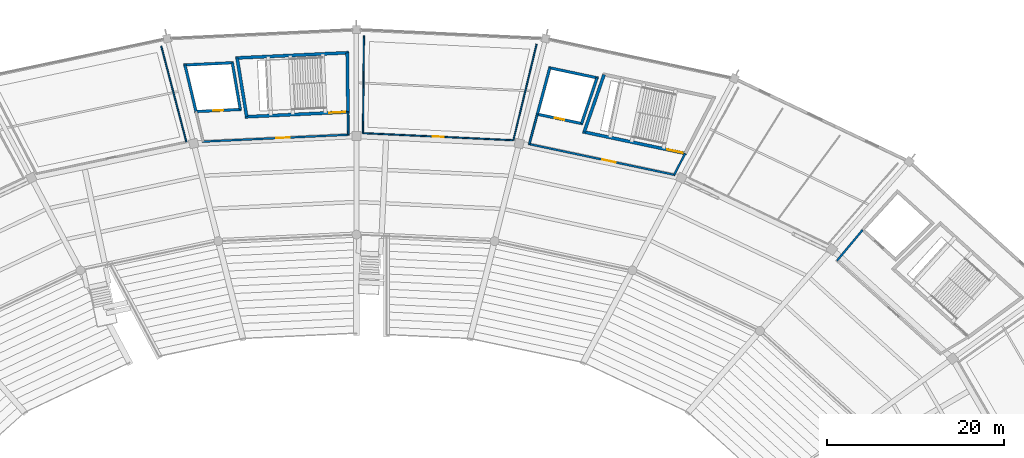
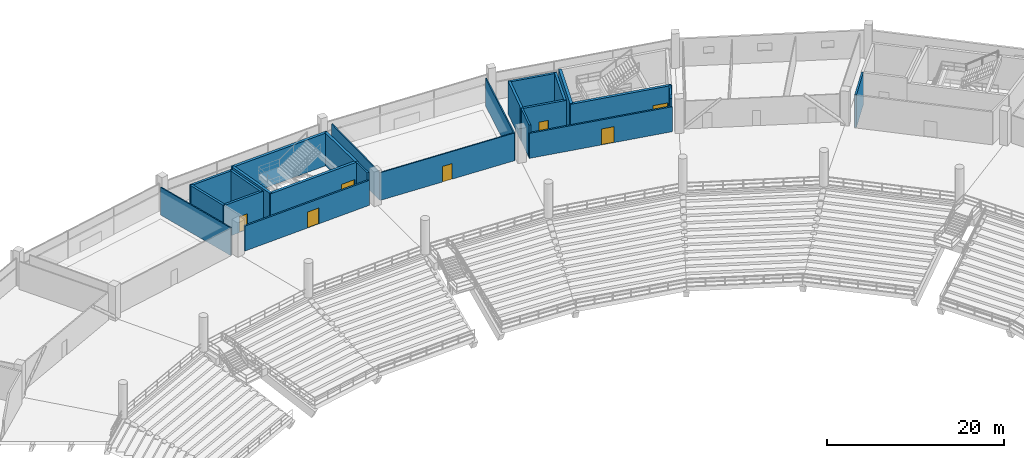
# One storey, part 107 of 156: 24 walls, 7 doors, 7 openings.
"""IFC4 building model written with IfcOpenShell, lengths in metres."""

from ifc_helpers import new_model, si_unit, direction, frame, frame_2d, origin, place, context, subcontext, project, spatial, rectangle, extrude, material, layer, layer_set, type_object, element, fill, save


model = new_model("IFC4")

# Units and contexts
model_context = context("Model", 3, precision=1e-05, world=origin(), true_north=direction((0.0, 1.0)))
body_context = subcontext(model_context, "Body", "Model", "MODEL_VIEW")
ifc_project = project(units=[si_unit("LENGTHUNIT", "METRE"), si_unit("AREAUNIT", "SQUARE_METRE"), si_unit("VOLUMEUNIT", "CUBIC_METRE"), si_unit("PLANEANGLEUNIT", "RADIAN"), si_unit("MASSUNIT", "GRAM", prefix="KILO")], contexts=[model_context])

# Site, building, storey
site_placement = place(None, origin())
site = spatial("IfcSite", under=ifc_project, at=site_placement, CompositionType="ELEMENT")
building_placement = place(site_placement, origin())
building = spatial("IfcBuilding", under=site, at=building_placement, Name="Kazemori Nagisa Stadium", CompositionType="ELEMENT")
storey_placement = place(building_placement, frame((0.0, 0.0, 5.780029296875)))
storey = spatial("IfcBuildingStorey", under=building, at=storey_placement, Name="L01", CompositionType="ELEMENT", Elevation=5.780029296875)

# Wall, opening, door
ifc_material_1 = material(Name="Concrete C40/50 (Fc42)", Category="concrete")
ifc_layer_1 = layer(ifc_material_1, 0.35009765625, Name="Concrete C40/50 (Fc42)", Category="concrete")
ifc_layer_set_1 = layer_set([ifc_layer_1], Name="Concrete C40/50 (Fc42)")
wall_type_1 = type_object("IfcWallType", Name="Wall_W-CORE-350", PredefinedType="SHEAR", material=ifc_layer_set_1)
wall_1_placement = place(storey_placement, frame((160.399658203125, 173.939697265625, 0.0), z_axis=(0.0, 0.0, 1.0), x_axis=(-0.978345203961, 0.206979858648, 0.0)))
wall_1 = element("IfcWall", 1, at=wall_1_placement, inside=storey, type_object=wall_type_1, Name="Core stair front shear wall ST11 L01", PredefinedType="SHEAR", context=body_context, shape_type="SweptSolid", body=[
    extrude(rectangle(XDim=12.044189453125, YDim=0.35009765625, at=frame_2d((6.02197265625, 0.0))), origin(), (0.0, 0.0, 1.0), 4.5),
])
opening_1_placement = place(wall_1_placement, frame((0.47509765625, 0.0, 0.0)))
opening_1 = element("IfcOpeningElement", 2, at=opening_1_placement, cuts=wall_1, Name="Opening D-ST-1800", PredefinedType="OPENING", context=body_context, shape_type="SweptSolid", body=[
    extrude(rectangle(XDim=1.800048828125, YDim=2.199951171875, at=frame_2d((0.89990234375, 1.10009765625))), frame((0.0, 0.18505859375, 0.0), z_axis=(0.0, -1.0, 0.0), x_axis=(1.0, 0.0, 0.0)), (0.0, 0.0, 1.0), 0.3701171875),
])
ifc_material_2 = material(Name="Galvanised steel sheet", Category="steel")
door_type_1 = type_object("IfcDoorType", Name="Door_D-ST-1800", OperationType="NOTDEFINED", PredefinedType="DOOR", material=ifc_material_2)
door_1_placement = place(opening_1_placement, frame((1.800048828125, 0.0, 0.0), z_axis=(0.0, 0.0, 1.0), x_axis=(-1.0, 0.0, 0.0)))
door_1 = element("IfcDoor", 3, at=door_1_placement, inside=storey, type_object=door_type_1, Name="Exit stair fire door ST11-L01", OperationType="SINGLE_SWING_LEFT", OverallHeight=2.199951171875, OverallWidth=1.800048828125, PredefinedType="DOOR", context=body_context, shape_type="SweptSolid", body=[
    extrude(rectangle(XDim=1.800048828125, YDim=2.199951171875, at=frame_2d((0.89990234375, 1.10009765625))), frame((0.0, 0.02490234375, 0.0), z_axis=(0.0, -1.0, 0.0), x_axis=(1.0, 0.0, 0.0)), (0.0, 0.0, 1.0), 0.050048828125),
])
fill(opening_1, door_1)

# Wall
wall_2_placement = place(storey_placement, frame((148.787353515625, 176.396240234375, 0.0), z_axis=(0.0, 0.0, 1.0), x_axis=(0.327491724385, 0.944854047173, 0.0)))
element("IfcWall", 4, at=wall_2_placement, inside=storey, type_object=wall_type_1, Name="Core stair right shear wall ST11 L01", PredefinedType="SHEAR", context=body_context, shape_type="SweptSolid", body=[
    extrude(rectangle(XDim=6.88525390625, YDim=0.35009765625, at=frame_2d((3.442626953125, 0.0))), origin(), (0.0, 0.0, 1.0), 4.5),
])

# Wall, opening, door
wall_3_placement = place(storey_placement, frame((122.218994140625, 178.675048828125, 0.0), z_axis=(0.0, 0.0, 1.0), x_axis=(-0.998883770468, -0.04723571843, 0.0)))
wall_3 = element("IfcWall", 5, at=wall_3_placement, inside=storey, type_object=wall_type_1, Name="Core stair front shear wall ST05 L01", PredefinedType="SHEAR", context=body_context, shape_type="SweptSolid", body=[
    extrude(rectangle(XDim=11.830810546875, YDim=0.35009765625, at=frame_2d((5.91552734375, 0.0))), origin(), (0.0, 0.0, 1.0), 4.5),
])
opening_2_placement = place(wall_3_placement, frame((0.47509765625, 0.0, 0.0)))
opening_2 = element("IfcOpeningElement", 6, at=opening_2_placement, cuts=wall_3, Name="Opening D-ST-1800", PredefinedType="OPENING", context=body_context, shape_type="SweptSolid", body=[
    extrude(rectangle(XDim=1.800048828125, YDim=2.199951171875, at=frame_2d((0.89990234375, 1.10009765625))), frame((0.0, 0.18505859375, 0.0), z_axis=(0.0, -1.0, 0.0), x_axis=(1.0, 0.0, 0.0)), (0.0, 0.0, 1.0), 0.3701171875),
])
door_2_placement = place(opening_2_placement, frame((1.800048828125, 0.0, 0.0), z_axis=(0.0, 0.0, 1.0), x_axis=(-1.0, 0.0, 0.0)))
door_2 = element("IfcDoor", 7, at=door_2_placement, inside=storey, type_object=door_type_1, Name="Exit stair fire door ST05-L01", OperationType="SINGLE_SWING_RIGHT", OverallHeight=2.199951171875, OverallWidth=1.800048828125, PredefinedType="DOOR", context=body_context, shape_type="SweptSolid", body=[
    extrude(rectangle(XDim=1.800048828125, YDim=2.199951171875, at=frame_2d((0.89990234375, 1.10009765625))), frame((0.0, 0.02490234375, 0.0), z_axis=(0.0, -1.0, 0.0), x_axis=(1.0, 0.0, 0.0)), (0.0, 0.0, 1.0), 0.050048828125),
])
fill(opening_2, door_2)

# Walls
wall_4_placement = place(storey_placement, frame((122.135498046875, 185.379150390625, 0.0), z_axis=(0.0, 0.0, 1.0), x_axis=(-0.998884004857, -0.047230761603, 0.0)))
element("IfcWall", 8, at=wall_4_placement, inside=storey, type_object=wall_type_1, Name="Core stair rear shear wall ST05 L01", PredefinedType="SHEAR", context=body_context, shape_type="SweptSolid", body=[
    extrude(rectangle(XDim=12.8349609375, YDim=0.35009765625, at=frame_2d((6.41748046875, 0.0))), origin(), (0.0, 0.0, 1.0), 4.5),
])
wall_5_placement = place(storey_placement, frame((122.04443359375, 178.666748046875, 0.0), z_axis=(0.0, 0.0, 1.0), x_axis=(-0.012489921532, 0.999921997888, 0.0)))
element("IfcWall", 9, at=wall_5_placement, inside=storey, type_object=wall_type_1, Name="Core stair left shear wall ST05 L01", PredefinedType="SHEAR", context=body_context, shape_type="SweptSolid", body=[
    extrude(rectangle(XDim=6.70458984375, YDim=0.35009765625, at=frame_2d((3.352294921875, 0.0))), origin(), (0.0, 0.0, 1.0), 4.5),
])
wall_6_placement = place(storey_placement, frame((110.576171875, 178.12451171875, 0.0), z_axis=(0.0, 0.0, 1.0), x_axis=(-0.161075775241, 0.986942042184, 0.0)))
element("IfcWall", 10, at=wall_6_placement, inside=storey, type_object=wall_type_1, Name="Core stair right shear wall ST05 L01", PredefinedType="SHEAR", context=body_context, shape_type="SweptSolid", body=[
    extrude(rectangle(XDim=6.744873046875, YDim=0.35009765625, at=frame_2d((3.37255859375, 0.0))), origin(), (0.0, 0.0, 1.0), 4.5),
])
ifc_material_3 = material(Name="Concrete C36/45 (Fc36)", Category="concrete")
ifc_layer_2 = layer(ifc_material_3, 0.219970703125, Name="Concrete C36/45 (Fc36)", Category="concrete")
ifc_layer_set_2 = layer_set([ifc_layer_2], Name="Concrete C36/45 (Fc36)")
wall_type_2 = type_object("IfcWallType", Name="Wall_W-LOBBY-220", PredefinedType="SOLIDWALL", material=ifc_layer_set_2)
wall_7_placement = place(storey_placement, frame((177.408935546875, 161.823974609375, 0.0), z_axis=(0.0, 0.0, 1.0), x_axis=(0.640759627034, 0.767741558315, 0.0)))
element("IfcWall", 11, at=wall_7_placement, inside=storey, type_object=wall_type_2, Name="Core lobby right wall ST01 L01", PredefinedType="SOLIDWALL", context=body_context, shape_type="SweptSolid", body=[
    extrude(rectangle(XDim=4.549072265625, YDim=0.219970703125, at=frame_2d((2.2744140625, 0.0))), origin(), (0.0, 0.0, 1.0), 4.5),
])

# Wall, opening, door
wall_8_placement = place(storey_placement, frame((159.083984375, 171.5322265625, 0.0), z_axis=(0.0, 0.0, 1.0), x_axis=(-0.978342313718, 0.206993519678, 0.0)))
wall_8 = element("IfcWall", 12, at=wall_8_placement, inside=storey, type_object=wall_type_2, Name="Core lobby fire wall ST11 L01", PredefinedType="SOLIDWALL", context=body_context, shape_type="SweptSolid", body=[
    extrude(rectangle(XDim=16.983154296875, YDim=0.219970703125, at=frame_2d((8.49169921875, 0.0))), origin(), (0.0, 0.0, 1.0), 3.447998046875),
])
opening_3_placement = place(wall_8_placement, frame((6.903076171875, 0.0, 0.0)))
opening_3 = element("IfcOpeningElement", 13, at=opening_3_placement, cuts=wall_8, Name="Opening D-FFL-1500", PredefinedType="OPENING", context=body_context, shape_type="SweptSolid", body=[
    extrude(rectangle(XDim=1.5, YDim=2.199951171875, at=frame_2d((0.75, 1.10009765625))), frame((0.0, 0.119873046875, 0.0), z_axis=(0.0, -1.0, 0.0), x_axis=(1.0, 0.0, 0.0)), (0.0, 0.0, 1.0), 0.239990234375),
])
door_type_2 = type_object("IfcDoorType", Name="Door_D-FFL-1500", OperationType="NOTDEFINED", PredefinedType="DOOR", material=ifc_material_2)
door_3_placement = place(opening_3_placement, frame((1.5, 0.0, 0.0), z_axis=(0.0, 0.0, 1.0), x_axis=(-1.0, 0.0, 0.0)))
door_3 = element("IfcDoor", 14, at=door_3_placement, inside=storey, type_object=door_type_2, Name="Protected lobby fire door ST11-L01", OperationType="DOUBLE_DOOR_SINGLE_SWING", OverallHeight=2.199951171875, OverallWidth=1.5, PredefinedType="DOOR", context=body_context, shape_type="SweptSolid", body=[
    extrude(rectangle(XDim=1.5, YDim=2.199951171875, at=frame_2d((0.75, 1.10009765625))), frame((0.0, 0.02490234375, 0.0), z_axis=(0.0, -1.0, 0.0), x_axis=(1.0, 0.0, 0.0)), (0.0, 0.0, 1.0), 0.050048828125),
])
fill(opening_3, door_3)

# Walls
wall_9_placement = place(storey_placement, frame((158.976318359375, 171.55517578125, 0.0), z_axis=(0.0, 0.0, 1.0), x_axis=(0.459461910618, 0.888197473928, 0.0)))
element("IfcWall", 15, at=wall_9_placement, inside=storey, type_object=wall_type_2, Name="Core lobby left wall ST11 L01", PredefinedType="SOLIDWALL", context=body_context, shape_type="SweptSolid", body=[
    extrude(rectangle(XDim=2.725341796875, YDim=0.219970703125, at=frame_2d((1.36279296875, 0.0))), origin(), (0.0, 0.0, 1.0), 4.5),
])
wall_10_placement = place(storey_placement, frame((142.576171875, 175.024658203125, 0.0), z_axis=(0.0, 0.0, 1.0), x_axis=(0.258940146037, 0.965893369255, 0.0)))
element("IfcWall", 16, at=wall_10_placement, inside=storey, type_object=wall_type_2, Name="Core lobby right wall ST11 L01", PredefinedType="SOLIDWALL", context=body_context, shape_type="SweptSolid", body=[
    extrude(rectangle(XDim=3.50830078125, YDim=0.219970703125, at=frame_2d((1.754150390625, 0.0))), origin(), (0.0, 0.0, 1.0), 4.5),
])

# Wall, opening, door
wall_11_placement = place(storey_placement, frame((122.186279296875, 176.093505859375, 0.0), z_axis=(0.0, 0.0, 1.0), x_axis=(-0.998884242682, -0.047225731555, 0.0)))
wall_11 = element("IfcWall", 17, at=wall_11_placement, inside=storey, type_object=wall_type_2, Name="Core lobby fire wall ST05 L01", PredefinedType="SOLIDWALL", context=body_context, shape_type="SweptSolid", body=[
    extrude(rectangle(XDim=16.67724609375, YDim=0.219970703125, at=frame_2d((8.338623046875, 0.0))), origin(), (0.0, 0.0, 1.0), 3.447998046875),
])
opening_4_placement = place(wall_11_placement, frame((6.76611328125, 0.0, 0.0)))
opening_4 = element("IfcOpeningElement", 18, at=opening_4_placement, cuts=wall_11, Name="Opening D-FFL-1500", PredefinedType="OPENING", context=body_context, shape_type="SweptSolid", body=[
    extrude(rectangle(XDim=1.5, YDim=2.199951171875, at=frame_2d((0.75, 1.10009765625))), frame((0.0, 0.119873046875, 0.0), z_axis=(0.0, -1.0, 0.0), x_axis=(1.0, 0.0, 0.0)), (0.0, 0.0, 1.0), 0.239990234375),
])
door_4_placement = place(opening_4_placement, frame((1.5, 0.0, 0.0), z_axis=(0.0, 0.0, 1.0), x_axis=(-1.0, 0.0, 0.0)))
door_4 = element("IfcDoor", 19, at=door_4_placement, inside=storey, type_object=door_type_2, Name="Protected lobby fire door ST05-L01", OperationType="DOUBLE_DOOR_SINGLE_SWING", OverallHeight=2.199951171875, OverallWidth=1.5, PredefinedType="DOOR", context=body_context, shape_type="SweptSolid", body=[
    extrude(rectangle(XDim=1.5, YDim=2.199951171875, at=frame_2d((0.75, 1.10009765625))), frame((0.0, 0.02490234375, 0.0), z_axis=(0.0, -1.0, 0.0), x_axis=(1.0, 0.0, 0.0)), (0.0, 0.0, 1.0), 0.050048828125),
])
fill(opening_4, door_4)

# Wall
wall_12_placement = place(storey_placement, frame((122.076416015625, 176.08837890625, 0.0), z_axis=(0.0, 0.0, 1.0), x_axis=(-0.012403174243, 0.999923077676, 0.0)))
element("IfcWall", 20, at=wall_12_placement, inside=storey, type_object=wall_type_2, Name="Core lobby left wall ST05 L01", PredefinedType="SOLIDWALL", context=body_context, shape_type="SweptSolid", body=[
    extrude(rectangle(XDim=2.57861328125, YDim=0.219970703125, at=frame_2d((1.289306640625, 0.0))), origin(), (0.0, 0.0, 1.0), 4.5),
])

# Wall, opening, door
ifc_material_4 = material(Name="Moisture-resistant gypsum board", Category="gypsum")
ifc_layer_3 = layer(ifc_material_4, 0.14990234375, Name="Moisture-resistant gypsum board", Category="gypsum")
ifc_layer_set_3 = layer_set([ifc_layer_3], Name="Moisture-resistant gypsum board")
wall_type_3 = type_object("IfcWallType", Name="Wall_W-PART-150", PredefinedType="PARTITIONING", material=ifc_layer_set_3)
wall_13_placement = place(storey_placement, frame((140.77294921875, 175.463623046875, 0.0), z_axis=(0.0, 0.0, 1.0), x_axis=(-0.998883826153, 0.047234540851, 0.0)))
wall_13 = element("IfcWall", 21, at=wall_13_placement, inside=storey, type_object=wall_type_3, Name="Room corridor partition L01-B07", PredefinedType="PARTITIONING", context=body_context, shape_type="SweptSolid", body=[
    extrude(rectangle(XDim=17.051513671875, YDim=0.14990234375, at=frame_2d((8.52587890625, 0.0))), origin(), (0.0, 0.0, 1.0), 3.820068359375),
])
opening_5_placement = place(wall_13_placement, frame((7.916015625, 0.0, 0.0)))
opening_5 = element("IfcOpeningElement", 22, at=opening_5_placement, cuts=wall_13, Name="Opening D-BEV-1220", PredefinedType="OPENING", context=body_context, shape_type="SweptSolid", body=[
    extrude(rectangle(XDim=1.219970703125, YDim=2.14990234375, at=frame_2d((0.60986328125, 1.074951171875))), frame((0.0, 0.0849609375, 0.0), z_axis=(0.0, -1.0, 0.0), x_axis=(1.0, 0.0, 0.0)), (0.0, 0.0, 1.0), 0.169921875),
])
ifc_material_5 = material(Name="Anodised aluminium 6063-T5", Category="aluminium")
door_type_3 = type_object("IfcDoorType", Name="Door_D-BEV-1220", OperationType="NOTDEFINED", PredefinedType="DOOR", material=ifc_material_5)
door_5_placement = place(opening_5_placement, origin())
door_5 = element("IfcDoor", 23, at=door_5_placement, inside=storey, type_object=door_type_3, Name="Room entrance door D-BEV-1220 L01-B07", OperationType="SINGLE_SWING_RIGHT", OverallHeight=2.14990234375, OverallWidth=1.219970703125, PredefinedType="DOOR", context=body_context, shape_type="SweptSolid", body=[
    extrude(rectangle(XDim=1.219970703125, YDim=2.14990234375, at=frame_2d((0.60986328125, 1.074951171875))), frame((0.0, 0.02490234375, 0.0), z_axis=(0.0, -1.0, 0.0), x_axis=(1.0, 0.0, 0.0)), (0.0, 0.0, 1.0), 0.050048828125),
])
fill(opening_5, door_5)

# Walls
wall_14_placement = place(storey_placement, frame((140.77294921875, 175.463623046875, 0.0), z_axis=(0.0, 0.0, 1.0), x_axis=(0.235146333041, 0.971959979658, 0.0)))
element("IfcWall", 24, at=wall_14_placement, inside=storey, type_object=wall_type_3, Name="Room radial partition L01-B07-L", PredefinedType="PARTITIONING", context=body_context, shape_type="SweptSolid", body=[
    extrude(rectangle(XDim=11.197509765625, YDim=0.14990234375, at=frame_2d((5.5986328125, 0.0))), origin(), (0.0, 0.0, 1.0), 3.820068359375),
])
wall_15_placement = place(storey_placement, frame((123.740478515625, 176.26904296875, 0.0), z_axis=(0.0, 0.0, 1.0), x_axis=(0.00998463551, 0.999950152284, 0.0)))
element("IfcWall", 25, at=wall_15_placement, inside=storey, type_object=wall_type_3, Name="Room radial partition L01-B07-R", PredefinedType="PARTITIONING", context=body_context, shape_type="SweptSolid", body=[
    extrude(rectangle(XDim=11.003173828125, YDim=0.14990234375, at=frame_2d((5.50146484375, 0.0))), origin(), (0.0, 0.0, 1.0), 3.820068359375),
])
wall_16_placement = place(storey_placement, frame((103.747802734375, 175.272216796875, 0.0), z_axis=(0.0, 0.0, 1.0), x_axis=(-0.254131382846, 0.967169706025, 0.0)))
element("IfcWall", 26, at=wall_16_placement, inside=storey, type_object=wall_type_3, Name="Room radial partition L01-B09-L", PredefinedType="PARTITIONING", context=body_context, shape_type="SweptSolid", body=[
    extrude(rectangle(XDim=11.2236328125, YDim=0.14990234375, at=frame_2d((5.61181640625, 0.0))), origin(), (0.0, 0.0, 1.0), 3.820068359375),
])

# Wall, opening, door
ifc_layer_4 = layer(ifc_material_1, 0.300048828125, Name="Concrete C40/50 (Fc42)", Category="concrete")
ifc_layer_set_4 = layer_set([ifc_layer_4], Name="Concrete C40/50 (Fc42)")
wall_type_4 = type_object("IfcWallType", Name="Wall_W-SHAFT-300", PredefinedType="SHEAR", material=ifc_layer_set_4)
wall_17_placement = place(storey_placement, frame((148.644775390625, 177.32177734375, 0.0), z_axis=(0.0, 0.0, 1.0), x_axis=(-0.978351630878, 0.206949477793, 0.0)))
wall_17 = element("IfcWall", 27, at=wall_17_placement, inside=storey, type_object=wall_type_4, Name="Lift shaft front wall LP3 L01", PredefinedType="SHEAR", context=body_context, shape_type="SweptSolid", body=[
    extrude(rectangle(XDim=5.42431640625, YDim=0.300048828125, at=frame_2d((2.712158203125, 0.0))), origin(), (0.0, 0.0, 1.0), 4.5),
])
opening_6_placement = place(wall_17_placement, frame((2.162109375, 0.0, 0.0)))
opening_6 = element("IfcOpeningElement", 28, at=opening_6_placement, cuts=wall_17, Name="Opening LD-PAX", PredefinedType="OPENING", context=body_context, shape_type="SweptSolid", body=[
    extrude(rectangle(XDim=1.10009765625, YDim=2.199951171875, at=frame_2d((0.550048828125, 1.10009765625))), frame((0.0, 0.159912109375, 0.0), z_axis=(0.0, -1.0, 0.0), x_axis=(1.0, 0.0, 0.0)), (0.0, 0.0, 1.0), 0.320068359375),
])
ifc_material_6 = material(Name="Stainless steel SUS304", Category="steel")
door_type_4 = type_object("IfcDoorType", Name="Door_LD-PAX", OperationType="SLIDING_TO_RIGHT", PredefinedType="DOOR", material=ifc_material_6)
door_6_placement = place(opening_6_placement, origin())
door_6 = element("IfcDoor", 29, at=door_6_placement, inside=storey, type_object=door_type_4, Name="Lift landing door LP3-L01", OperationType="SLIDING_TO_RIGHT", OverallHeight=2.199951171875, OverallWidth=1.10009765625, PredefinedType="DOOR", context=body_context, shape_type="SweptSolid", body=[
    extrude(rectangle(XDim=1.10009765625, YDim=2.199951171875, at=frame_2d((0.550048828125, 1.10009765625))), frame((0.0, 0.02490234375, 0.0), z_axis=(0.0, -1.0, 0.0), x_axis=(1.0, 0.0, 0.0)), (0.0, 0.0, 1.0), 0.050048828125),
])
fill(opening_6, door_6)

# Walls
wall_18_placement = place(storey_placement, frame((150.3974609375, 182.501220703125, 0.0), z_axis=(0.0, 0.0, 1.0), x_axis=(-0.978347069901, 0.206971038591, 0.0)))
element("IfcWall", 30, at=wall_18_placement, inside=storey, type_object=wall_type_4, Name="Lift shaft B wall LP3 L01", PredefinedType="SHEAR", context=body_context, shape_type="SweptSolid", body=[
    extrude(rectangle(XDim=5.7763671875, YDim=0.300048828125, at=frame_2d((2.88818359375, 0.0))), origin(), (0.0, 0.0, 1.0), 4.5),
])
wall_19_placement = place(storey_placement, frame((148.498046875, 177.352783203125, 0.0), z_axis=(0.0, 0.0, 1.0), x_axis=(0.320537624185, 0.947235784523, 0.0)))
element("IfcWall", 31, at=wall_19_placement, inside=storey, type_object=wall_type_4, Name="Lift shaft L wall LP3 L01", PredefinedType="SHEAR", context=body_context, shape_type="SweptSolid", body=[
    extrude(rectangle(XDim=5.468017578125, YDim=0.300048828125, at=frame_2d((2.73388671875, 0.0))), origin(), (0.0, 0.0, 1.0), 4.5),
])
wall_20_placement = place(storey_placement, frame((143.484619140625, 178.413330078125, 0.0), z_axis=(0.0, 0.0, 1.0), x_axis=(0.258958994481, 0.965888316099, 0.0)))
element("IfcWall", 32, at=wall_20_placement, inside=storey, type_object=wall_type_4, Name="Lift shaft R wall LP3 L01", PredefinedType="SHEAR", context=body_context, shape_type="SweptSolid", body=[
    extrude(rectangle(XDim=5.43798828125, YDim=0.300048828125, at=frame_2d((2.718994140625, 0.0))), origin(), (0.0, 0.0, 1.0), 4.5),
])

# Wall, opening, door
wall_21_placement = place(storey_placement, frame((110.007080078125, 178.95751953125, 0.0), z_axis=(0.0, 0.0, 1.0), x_axis=(-0.998884655258, -0.047217004244, 0.0)))
wall_21 = element("IfcWall", 33, at=wall_21_placement, inside=storey, type_object=wall_type_4, Name="Lift shaft front wall LP1 L01", PredefinedType="SHEAR", context=body_context, shape_type="SweptSolid", body=[
    extrude(rectangle(XDim=5.330810546875, YDim=0.300048828125, at=frame_2d((2.66552734375, 0.0))), origin(), (0.0, 0.0, 1.0), 4.5),
])
opening_7_placement = place(wall_21_placement, frame((2.114990234375, 0.0, 0.0)))
opening_7 = element("IfcOpeningElement", 34, at=opening_7_placement, cuts=wall_21, Name="Opening LD-PAX", PredefinedType="OPENING", context=body_context, shape_type="SweptSolid", body=[
    extrude(rectangle(XDim=1.10009765625, YDim=2.199951171875, at=frame_2d((0.550048828125, 1.10009765625))), frame((0.0, 0.159912109375, 0.0), z_axis=(0.0, -1.0, 0.0), x_axis=(1.0, 0.0, 0.0)), (0.0, 0.0, 1.0), 0.320068359375),
])
door_7_placement = place(opening_7_placement, origin())
door_7 = element("IfcDoor", 35, at=door_7_placement, inside=storey, type_object=door_type_4, Name="Lift landing door LP1-L01", OperationType="SLIDING_TO_RIGHT", OverallHeight=2.199951171875, OverallWidth=1.10009765625, PredefinedType="DOOR", context=body_context, shape_type="SweptSolid", body=[
    extrude(rectangle(XDim=1.10009765625, YDim=2.199951171875, at=frame_2d((0.550048828125, 1.10009765625))), frame((0.0, 0.02490234375, 0.0), z_axis=(0.0, -1.0, 0.0), x_axis=(1.0, 0.0, 0.0)), (0.0, 0.0, 1.0), 0.050048828125),
])
fill(opening_7, door_7)

# Walls
wall_22_placement = place(storey_placement, frame((109.103515625, 184.246826171875, 0.0), z_axis=(0.0, 0.0, 1.0), x_axis=(-0.998884329444, -0.047223896393, 0.0)))
element("IfcWall", 36, at=wall_22_placement, inside=storey, type_object=wall_type_4, Name="Lift shaft B wall LP1 L01", PredefinedType="SHEAR", context=body_context, shape_type="SweptSolid", body=[
    extrude(rectangle(XDim=5.676513671875, YDim=0.300048828125, at=frame_2d((2.83837890625, 0.0))), origin(), (0.0, 0.0, 1.0), 4.5),
])
wall_23_placement = place(storey_placement, frame((109.857177734375, 178.95068359375, 0.0), z_axis=(0.0, 0.0, 1.0), x_axis=(-0.168396746868, 0.985719298606, 0.0)))
element("IfcWall", 37, at=wall_23_placement, inside=storey, type_object=wall_type_4, Name="Lift shaft L wall LP1 L01", PredefinedType="SHEAR", context=body_context, shape_type="SweptSolid", body=[
    extrude(rectangle(XDim=5.36572265625, YDim=0.300048828125, at=frame_2d((2.682861328125, 0.0))), origin(), (0.0, 0.0, 1.0), 4.5),
])
wall_24_placement = place(storey_placement, frame((104.831787109375, 178.712890625, 0.0), z_axis=(0.0, 0.0, 1.0), x_axis=(-0.230452911873, 0.97308347813, 0.0)))
element("IfcWall", 38, at=wall_24_placement, inside=storey, type_object=wall_type_4, Name="Lift shaft R wall LP1 L01", PredefinedType="SHEAR", context=body_context, shape_type="SweptSolid", body=[
    extrude(rectangle(XDim=5.418701171875, YDim=0.300048828125, at=frame_2d((2.70947265625, 0.0))), origin(), (0.0, 0.0, 1.0), 4.5),
])

save(model, "model.ifc")
